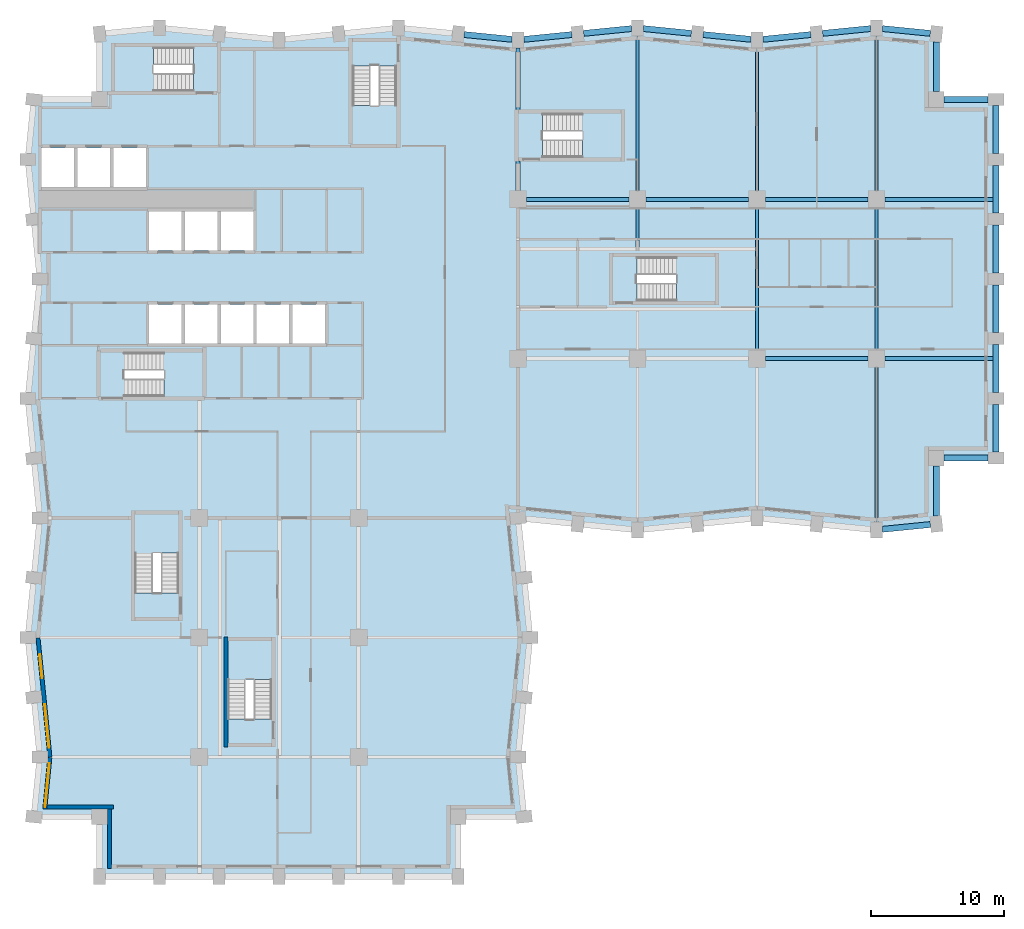
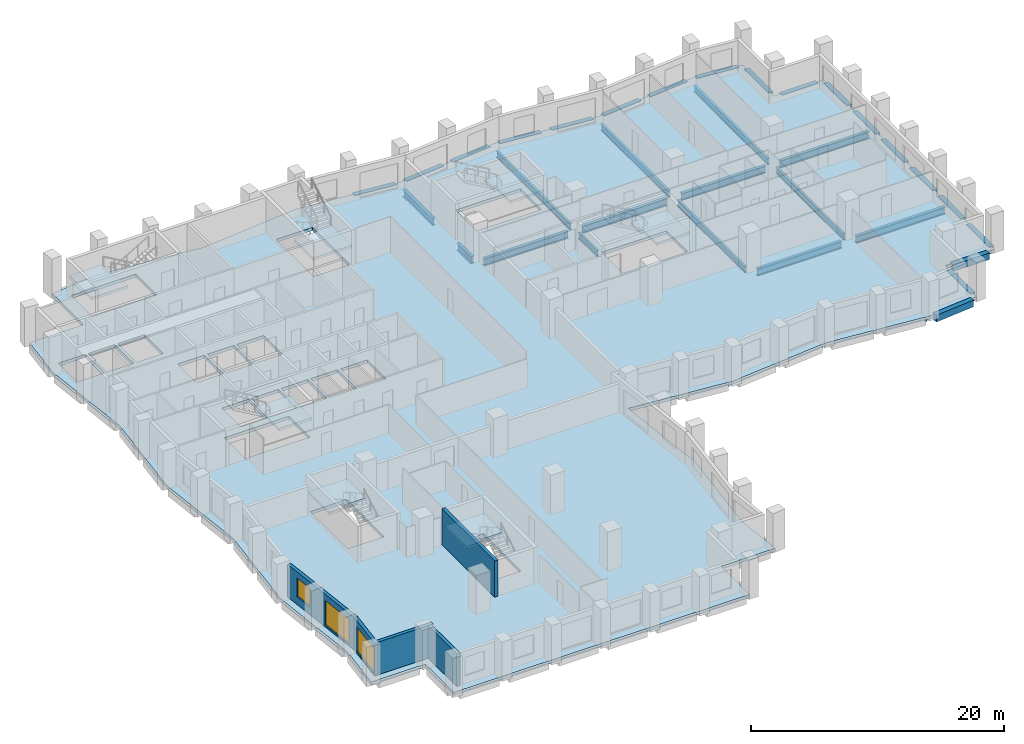
# One storey, part 2 of 11: 34 beams, 8 slabs, 5 walls, 3 windows, 3 openings, 7 elements without a shape of their own.
"""IFC4 building model written with IfcOpenShell, lengths in metres."""

import ifcopenshell
import ifcopenshell.guid

model = None  # the IFC model being written
_history = None  # IfcOwnerHistory: only IFC2X3 demands one
_inside = {}  # id of a spatial element -> (the spatial element, [elements in it])
_under = {}  # id of a project, library or spatial element -> (it, [spatial elements below it])
_declared = {}  # id of a project -> (the project, [libraries it declares])
_typed = {}  # id of a type object -> (the type object, [elements of that type])
_made_of = {}  # id of a material, layer set ... -> (it, [elements and type objects made of it])


def new_model(schema):
    """Start an empty IFC model of exactly this schema.

    Asked for "IFC4X3", IfcOpenShell would pick the latest addendum, in which some entities
    have other attributes; the version numbers below select the first issue.
    IFC2X3 requires an IfcOwnerHistory on every rooted entity: one is made here for all.
    """
    global model, _history
    if schema == "IFC4X3":
        model = ifcopenshell.file(schema_version=(4, 3, 0, 0))
    else:
        model = ifcopenshell.file(schema=schema)
    _inside.clear()
    _under.clear()
    _declared.clear()
    _typed.clear()
    _made_of.clear()
    _history = None
    if model.schema == "IFC2X3":
        org = make("IfcOrganization", Name="unknown")
        user = make(
            "IfcPersonAndOrganization",
            ThePerson=make("IfcPerson", FamilyName="unknown"),
            TheOrganization=org,
        )
        app = make(
            "IfcApplication",
            ApplicationDeveloper=org,
            Version="unknown",
            ApplicationFullName="unknown",
            ApplicationIdentifier="unknown",
        )
        _history = make(
            "IfcOwnerHistory",
            OwningUser=user,
            OwningApplication=app,
            ChangeAction="ADDED",
            CreationDate=0,
        )
    return model


def make(cls, **values):
    """One entity of the class cls with the attributes given. An attribute that is None is left unset."""
    return model.create_entity(
        cls, **{name: value for name, value in values.items() if value is not None}
    )


def rooted(cls, **values):
    """An entity with a GlobalId (a new one), such as an element, a storey or a relation."""
    return make(cls, GlobalId=ifcopenshell.guid.new(), OwnerHistory=_history, **values)


def si_unit(unit_type, name, prefix=None):
    """IfcSIUnit, for example si_unit("LENGTHUNIT", "METRE", prefix="MILLI")."""
    return make("IfcSIUnit", UnitType=unit_type, Prefix=prefix, Name=name)


def assignment(units):
    """IfcUnitAssignment: the units of a project."""
    return None if units is None else make("IfcUnitAssignment", Units=units)


def point(xyz):
    """IfcCartesianPoint."""
    return None if xyz is None else make("IfcCartesianPoint", Coordinates=xyz)


def direction(xyz):
    """IfcDirection."""
    return None if xyz is None else make("IfcDirection", DirectionRatios=xyz)


def frame(location, z_axis=None, x_axis=None):
    """IfcAxis2Placement3D, a coordinate frame: its origin and axes. An axis left out is left unset."""
    return make(
        "IfcAxis2Placement3D",
        Location=point(location),
        Axis=direction(z_axis),
        RefDirection=direction(x_axis),
    )


def frame_2d(location, x_axis=None):
    """IfcAxis2Placement2D, a coordinate frame in the plane: its origin and x axis."""
    return make(
        "IfcAxis2Placement2D", Location=point(location), RefDirection=direction(x_axis)
    )


def origin():
    """The frame at (0, 0, 0) with its axes left unset."""
    return frame((0.0, 0.0, 0.0))


def origin_2d():
    """The frame at (0, 0) in the plane with its x axis left unset."""
    return frame_2d((0.0, 0.0))


def place(relative_to, where):
    """IfcLocalPlacement: puts the frame where relative to a parent placement (None: the world)."""
    return make(
        "IfcLocalPlacement", PlacementRelTo=relative_to, RelativePlacement=where
    )


def context(
    kind, dimensions, precision=None, world=None, true_north=None, identifier=None
):
    """IfcGeometricRepresentationContext, for example the 3D "Model" context."""
    return make(
        "IfcGeometricRepresentationContext",
        ContextIdentifier=identifier,
        ContextType=kind,
        CoordinateSpaceDimension=dimensions,
        Precision=precision,
        WorldCoordinateSystem=world,
        TrueNorth=true_north,
    )


def subcontext(parent, identifier, kind, view, scale=None):
    """IfcGeometricRepresentationSubContext, for example "Body" below "Model"."""
    return make(
        "IfcGeometricRepresentationSubContext",
        ContextIdentifier=identifier,
        ContextType=kind,
        ParentContext=parent,
        TargetScale=scale,
        TargetView=view,
    )


def project(units=None, contexts=None):
    """IfcProject with its units and contexts."""
    return rooted(
        "IfcProject",
        Name="project",
        RepresentationContexts=contexts,
        UnitsInContext=assignment(units),
    )


def spatial(cls, under=None, at=None, **own):
    """A site, building, storey or space (cls), placed at a placement, below another one or the project."""
    s = rooted(cls, ObjectPlacement=at, **own)
    if under is not None:
        _under.setdefault(under.id(), (under, []))[1].append(s)
    return s


def polyline(points):
    """IfcPolyline through the points."""
    return make("IfcPolyline", Points=[point(p) for p in points])


def profile(cls, at=None, kind="AREA", **sizes):
    """A parametric profile (cls). Its sizes go by their IFC names, for example OverallWidth=200.0."""
    return make(cls, ProfileType=kind, Position=at, **sizes)


def rectangle(**sizes):
    """IfcRectangleProfileDef."""
    return profile("IfcRectangleProfileDef", **sizes)


def i_section(**sizes):
    """IfcIShapeProfileDef."""
    return profile("IfcIShapeProfileDef", **sizes)


def outline(outer, holes=None, kind="AREA"):
    """IfcArbitraryClosedProfileDef: a profile drawn as a closed curve; with holes, ...WithVoids."""
    if holes is None:
        return make("IfcArbitraryClosedProfileDef", ProfileType=kind, OuterCurve=outer)
    return make(
        "IfcArbitraryProfileDefWithVoids",
        ProfileType=kind,
        OuterCurve=outer,
        InnerCurves=holes,
    )


def extrude(swept, where, along, depth):
    """IfcExtrudedAreaSolid: the profile swept, set in the frame where, extruded along a direction by depth."""
    return make(
        "IfcExtrudedAreaSolid",
        SweptArea=swept,
        Position=where,
        ExtrudedDirection=direction(along),
        Depth=depth,
    )


def shape(context_of_items, identifier, shape_type, items):
    """IfcShapeRepresentation: the items that make up one representation, for example the "Body"."""
    return make(
        "IfcShapeRepresentation",
        ContextOfItems=context_of_items,
        RepresentationIdentifier=identifier,
        RepresentationType=shape_type,
        Items=items,
    )


def material(Name=None, Category=None):
    """IfcMaterial."""
    return make("IfcMaterial", Name=Name, Category=Category)


def layer(
    of_material, thickness, ventilated=None, Name=None, Category=None, Priority=None
):
    """IfcMaterialLayer: one layer of a wall or slab, of a material (None: an air gap)."""
    return make(
        "IfcMaterialLayer",
        Material=of_material,
        LayerThickness=thickness,
        IsVentilated=ventilated,
        Name=Name,
        Category=Category,
        Priority=Priority,
    )


def layer_set(layers, Name=None):
    """IfcMaterialLayerSet."""
    return make("IfcMaterialLayerSet", MaterialLayers=layers, LayerSetName=Name)


def material_profile(
    of_material, cross_section, Name=None, Category=None, Priority=None
):
    """IfcMaterialProfile: a cross section and its material."""
    return make(
        "IfcMaterialProfile",
        Name=Name,
        Material=of_material,
        Profile=cross_section,
        Priority=Priority,
        Category=Category,
    )


def profile_set(profiles, Name=None, composite=None):
    """IfcMaterialProfileSet."""
    return make(
        "IfcMaterialProfileSet",
        Name=Name,
        MaterialProfiles=profiles,
        CompositeProfile=composite,
    )


def made_of(thing, what):
    """Note that an element or type object is made of a material, layer set ...; save() writes the relation."""
    if what is not None:
        _made_of.setdefault(what.id(), (what, []))[1].append(thing)
    return thing


def type_object(cls, material=None, **own):
    """A type object (cls), such as IfcWallType, which elements share."""
    return made_of(rooted(cls, **own), material)


def element(
    cls,
    number,
    at=None,
    inside=None,
    cuts=None,
    type_object=None,
    material=None,
    context=None,
    identifier="Body",
    shape_type=None,
    held_by="IfcProductDefinitionShape",
    body=None,
    shapes=None,
    **own,
):
    """One element of the class cls, such as IfcWall. Its Tag is "e" and its number.

    at: its placement. inside: the storey or other place that contains it. cuts: it is an
    opening in that element (IfcRelVoidsElement). A single representation is given by context,
    identifier, shape_type and body (its items); several are given by shapes. held_by: the class
    of the entity that holds the representations. save() writes the other relations.
    """
    e = rooted(cls, Tag="e%d" % number, ObjectPlacement=at, **own)
    if body is not None:
        shapes = [shape(context, identifier, shape_type, body)]
    if shapes is not None:
        e.Representation = make(held_by, Representations=shapes)
    if inside is not None:
        _inside.setdefault(inside.id(), (inside, []))[1].append(e)
    if cuts is not None:
        rooted(
            "IfcRelVoidsElement", RelatingBuildingElement=cuts, RelatedOpeningElement=e
        )
    if type_object is not None:
        _typed.setdefault(type_object.id(), (type_object, []))[1].append(e)
    return made_of(e, material)


def fill(opening, filler):
    """IfcRelFillsElement: the door or window that sits in an opening."""
    return rooted(
        "IfcRelFillsElement",
        RelatingOpeningElement=opening,
        RelatedBuildingElement=filler,
    )


def aggregate(whole, parts):
    """IfcRelAggregates: a whole, such as a stair, and the parts it consists of."""
    return rooted("IfcRelAggregates", RelatingObject=whole, RelatedObjects=parts)


def save(model, path):
    """Write the relations noted so far, then the file.

    IfcRelAggregates (storeys below a building ...), IfcRelContainedInSpatialStructure (elements
    in a storey), IfcRelDefinesByType, IfcRelAssociatesMaterial and IfcRelDeclares: one each for
    every whole, place, type object, material and project.
    """
    for whole, parts in _under.values():
        aggregate(whole, parts)
    for where, things in _inside.values():
        rooted(
            "IfcRelContainedInSpatialStructure",
            RelatedElements=things,
            RelatingStructure=where,
        )
    for kind, things in _typed.values():
        rooted("IfcRelDefinesByType", RelatedObjects=things, RelatingType=kind)
    for what, things in _made_of.values():
        rooted("IfcRelAssociatesMaterial", RelatedObjects=things, RelatingMaterial=what)
    for by, libraries in _declared.values():
        rooted("IfcRelDeclares", RelatingContext=by, RelatedDefinitions=libraries)
    model.write(path)


model = new_model("IFC4")

# Units and contexts
model_context = context("Model", 3, precision=1e-05, world=origin(), true_north=direction((0.0, 1.0)))
body_context = subcontext(model_context, "Body", "Model", "MODEL_VIEW")
ifc_project = project(units=[si_unit("LENGTHUNIT", "METRE"), si_unit("AREAUNIT", "SQUARE_METRE"), si_unit("VOLUMEUNIT", "CUBIC_METRE"), si_unit("PLANEANGLEUNIT", "RADIAN"), si_unit("MASSUNIT", "GRAM", prefix="KILO")], contexts=[model_context])

# Site, building, storey
site_placement = place(None, origin())
site = spatial("IfcSite", under=ifc_project, at=site_placement, CompositionType="ELEMENT")
building_placement = place(site_placement, origin())
building = spatial("IfcBuilding", under=site, at=building_placement, Name="Brondeck Convention Tower", CompositionType="ELEMENT")
storey_placement = place(building_placement, frame((0.0, 0.0, 111.300048828125)))
storey = spatial("IfcBuildingStorey", under=building, at=storey_placement, Name="L26", CompositionType="ELEMENT", Elevation=111.300048828125)

# Beams
ifc_material_1 = material(Name="Steel S355", Category="steel")
ifc_material_profile_1 = material_profile(ifc_material_1, i_section(OverallWidth=0.219970703125, OverallDepth=0.60009765625, WebThickness=0.011962890625, FlangeThickness=0.01904296875, FilletRadius=0.02392578125, at=origin_2d()), Name="IPE 600")
ifc_profile_set_1 = profile_set([ifc_material_profile_1], Name="Steel S355")
beam_type_1 = type_object("IfcBeamType", Name="Floor beam IPE 600", PredefinedType="BEAM", material=ifc_profile_set_1)
beam_1_placement = place(storey_placement, frame((45.0, 51.64990234375, -0.60009765625), z_axis=(0.0, 1.0, 0.0), x_axis=(-1.0, 0.0, 0.0)))
element("IfcBeam", 1, at=beam_1_placement, inside=storey, type_object=beam_type_1, Name="STR-FB-L26-002", PredefinedType="BEAM", context=body_context, shape_type="SweptSolid", body=[
    extrude(i_section(OverallWidth=0.219970703125, OverallDepth=0.60009765625, WebThickness=0.011962890625, FlangeThickness=0.01904296875, FilletRadius=0.02392578125, at=origin_2d()), origin(), (0.0, 0.0, 1.0), 11.650146484375),
])
beam_2_placement = place(storey_placement, frame((54.0, 39.64990234375, -0.60009765625), z_axis=(0.0, 1.0, 0.0), x_axis=(-1.0, 0.0, 0.0)))
element("IfcBeam", 2, at=beam_2_placement, inside=storey, type_object=beam_type_1, Name="STR-FB-L26-004", PredefinedType="BEAM", context=body_context, shape_type="SweptSolid", body=[
    extrude(i_section(OverallWidth=0.219970703125, OverallDepth=0.60009765625, WebThickness=0.011962890625, FlangeThickness=0.01904296875, FilletRadius=0.02392578125, at=origin_2d()), origin(), (0.0, 0.0, 1.0), 10.7001953125),
])
beam_3_placement = place(storey_placement, frame((54.0, 51.64990234375, -0.60009765625), z_axis=(0.0, 1.0, 0.0), x_axis=(-1.0, 0.0, 0.0)))
element("IfcBeam", 3, at=beam_3_placement, inside=storey, type_object=beam_type_1, Name="STR-FB-L26-005", PredefinedType="BEAM", context=body_context, shape_type="SweptSolid", body=[
    extrude(i_section(OverallWidth=0.219970703125, OverallDepth=0.60009765625, WebThickness=0.011962890625, FlangeThickness=0.01904296875, FilletRadius=0.02392578125, at=origin_2d()), origin(), (0.0, 0.0, 1.0), 10.75),
])
beam_4_placement = place(storey_placement, frame((63.0, 26.699951171875, -0.60009765625), z_axis=(0.0, 1.0, 0.0), x_axis=(-1.0, 0.0, 0.0)))
element("IfcBeam", 4, at=beam_4_placement, inside=storey, type_object=beam_type_1, Name="STR-FB-L26-006", PredefinedType="BEAM", context=body_context, shape_type="SweptSolid", body=[
    extrude(i_section(OverallWidth=0.219970703125, OverallDepth=0.60009765625, WebThickness=0.011962890625, FlangeThickness=0.01904296875, FilletRadius=0.02392578125, at=origin_2d()), origin(), (0.0, 0.0, 1.0), 11.650146484375),
])
beam_5_placement = place(storey_placement, frame((63.0, 39.64990234375, -0.60009765625), z_axis=(0.0, 1.0, 0.0), x_axis=(-1.0, 0.0, 0.0)))
element("IfcBeam", 5, at=beam_5_placement, inside=storey, type_object=beam_type_1, Name="STR-FB-L26-007", PredefinedType="BEAM", context=body_context, shape_type="SweptSolid", body=[
    extrude(i_section(OverallWidth=0.219970703125, OverallDepth=0.60009765625, WebThickness=0.011962890625, FlangeThickness=0.01904296875, FilletRadius=0.02392578125, at=origin_2d()), origin(), (0.0, 0.0, 1.0), 10.7001953125),
])
beam_6_placement = place(storey_placement, frame((63.0, 51.64990234375, -0.60009765625), z_axis=(0.0, 1.0, 0.0), x_axis=(-1.0, 0.0, 0.0)))
element("IfcBeam", 6, at=beam_6_placement, inside=storey, type_object=beam_type_1, Name="STR-FB-L26-008", PredefinedType="BEAM", context=body_context, shape_type="SweptSolid", body=[
    extrude(i_section(OverallWidth=0.219970703125, OverallDepth=0.60009765625, WebThickness=0.011962890625, FlangeThickness=0.01904296875, FilletRadius=0.02392578125, at=origin_2d()), origin(), (0.0, 0.0, 1.0), 11.650146484375),
])
beam_7_placement = place(storey_placement, frame((45.0, 47.39990234375, -0.60009765625), z_axis=(0.0, 1.0, 0.0), x_axis=(-1.0, 0.0, 0.0)))
element("IfcBeam", 7, at=beam_7_placement, inside=storey, type_object=beam_type_1, Name="STR-FB-L26-015", PredefinedType="BEAM", context=body_context, shape_type="SweptSolid", body=[
    extrude(i_section(OverallWidth=0.219970703125, OverallDepth=0.60009765625, WebThickness=0.011962890625, FlangeThickness=0.01904296875, FilletRadius=0.02392578125, at=origin_2d()), origin(), (0.0, 0.0, 1.0), 2.9501953125),
])
ifc_material_profile_2 = material_profile(ifc_material_1, i_section(OverallWidth=0.300048828125, OverallDepth=0.699951171875, WebThickness=0.01708984375, FlangeThickness=0.031982421875, FilletRadius=0.027099609375, at=origin_2d()), Name="HEB 700")
ifc_profile_set_2 = profile_set([ifc_material_profile_2], Name="Steel S355")
beam_type_2 = type_object("IfcBeamType", Name="Girder HEB 700", PredefinedType="BEAM", material=ifc_profile_set_2)
beam_8_placement = place(storey_placement, frame((54.64990234375, 39.0, -0.650146484375), z_axis=(1.0, 0.0, 0.0), x_axis=(0.0, 1.0, 0.0)))
element("IfcBeam", 8, at=beam_8_placement, inside=storey, type_object=beam_type_2, Name="STR-GR-L26-003", PredefinedType="BEAM", context=body_context, shape_type="SweptSolid", body=[
    extrude(i_section(OverallWidth=0.300048828125, OverallDepth=0.699951171875, WebThickness=0.01708984375, FlangeThickness=0.031982421875, FilletRadius=0.027099609375, at=origin_2d()), origin(), (0.0, 0.0, 1.0), 7.7001953125),
])
beam_9_placement = place(storey_placement, frame((63.64990234375, 39.0, -0.650146484375), z_axis=(1.0, 0.0, 0.0), x_axis=(0.0, 1.0, 0.0)))
element("IfcBeam", 9, at=beam_9_placement, inside=storey, type_object=beam_type_2, Name="STR-GR-L26-004", PredefinedType="BEAM", context=body_context, shape_type="SweptSolid", body=[
    extrude(i_section(OverallWidth=0.300048828125, OverallDepth=0.699951171875, WebThickness=0.01708984375, FlangeThickness=0.031982421875, FilletRadius=0.027099609375, at=origin_2d()), origin(), (0.0, 0.0, 1.0), 8.125),
])
for number, where, z_axis, x_axis, name in (
    (10, (36.64990234375, 51.0, -0.650146484375), (1.0, 0.0, 0.0), (0.0, 1.0, 0.0), "STR-GR-L26-005"),
    (11, (45.64990234375, 51.0, -0.650146484375), (1.0, 0.0, 0.0), (0.0, 1.0, 0.0), "STR-GR-L26-006"),
    (12, (54.64990234375, 51.0, -0.650146484375), (1.0, 0.0, 0.0), (0.0, 1.0, 0.0), "STR-GR-L26-007"),
):
    element("IfcBeam", number, at=place(storey_placement, frame(where, z_axis=z_axis, x_axis=x_axis)), inside=storey, type_object=beam_type_2, Name=name, PredefinedType="BEAM", context=body_context, shape_type="SweptSolid", body=[
        extrude(i_section(OverallWidth=0.300048828125, OverallDepth=0.699951171875, WebThickness=0.01708984375, FlangeThickness=0.031982421875, FilletRadius=0.027099609375, at=origin_2d()), origin(), (0.0, 0.0, 1.0), 7.7001953125),
    ])
beam_10_placement = place(storey_placement, frame((63.64990234375, 51.0, -0.650146484375), z_axis=(1.0, 0.0, 0.0), x_axis=(0.0, 1.0, 0.0)))
element("IfcBeam", 13, at=beam_10_placement, inside=storey, type_object=beam_type_2, Name="STR-GR-L26-008", PredefinedType="BEAM", context=body_context, shape_type="SweptSolid", body=[
    extrude(i_section(OverallWidth=0.300048828125, OverallDepth=0.699951171875, WebThickness=0.01708984375, FlangeThickness=0.031982421875, FilletRadius=0.027099609375, at=origin_2d()), origin(), (0.0, 0.0, 1.0), 8.125),
])
beam_11_placement = place(storey_placement, frame((36.0, 51.64990234375, -0.650146484375), z_axis=(0.0, 1.0, 0.0), x_axis=(-1.0, 0.0, 0.0)))
element("IfcBeam", 14, at=beam_11_placement, inside=storey, type_object=beam_type_2, Name="STR-GR-L26-011", PredefinedType="BEAM", context=body_context, shape_type="SweptSolid", body=[
    extrude(i_section(OverallWidth=0.300048828125, OverallDepth=0.699951171875, WebThickness=0.01708984375, FlangeThickness=0.031982421875, FilletRadius=0.027099609375, at=origin_2d()), origin(), (0.0, 0.0, 1.0), 2.22998046875),
])
beam_12_placement = place(storey_placement, frame((36.0, 57.719970703125, -0.650146484375), z_axis=(0.0, 1.0, 0.0), x_axis=(-1.0, 0.0, 0.0)))
element("IfcBeam", 15, at=beam_12_placement, inside=storey, type_object=beam_type_2, Name="STR-GR-L26-012", PredefinedType="BEAM", context=body_context, shape_type="SweptSolid", body=[
    extrude(i_section(OverallWidth=0.300048828125, OverallDepth=0.699951171875, WebThickness=0.01708984375, FlangeThickness=0.031982421875, FilletRadius=0.027099609375, at=origin_2d()), origin(), (0.0, 0.0, 1.0), 4.679931640625),
])
ifc_material_2 = material(Name="Concrete C70/85", Category="concrete")
ifc_material_profile_3 = material_profile(ifc_material_2, rectangle(XDim=0.449951171875, YDim=0.64990234375, at=origin_2d()), Name="Precast spandrel 450x650 Concrete C70/85")
ifc_profile_set_3 = profile_set([ifc_material_profile_3], Name="Concrete C70/85")
beam_type_3 = type_object("IfcBeamType", Name="Precast spandrel 450x650 Concrete C70/85", PredefinedType="SPANDREL", material=ifc_profile_set_3)
beam_13_placement = place(storey_placement, frame((63.449951171875, 26.14501953125, -0.324951171875), z_axis=(0.995040528141, 0.099470334057, 0.0), x_axis=(-0.099470334057, 0.995040528141, 0.0)))
element("IfcBeam", 16, at=beam_13_placement, inside=storey, type_object=beam_type_3, Name="STR-SP-L26-020", PredefinedType="SPANDREL", context=body_context, shape_type="SweptSolid", body=[
    extrude(rectangle(XDim=0.449951171875, YDim=0.64990234375, at=origin_2d()), origin(), (0.0, 0.0, 1.0), 3.620361328125),
])
beam_14_placement = place(storey_placement, frame((67.5, 27.153076171875, -0.324951171875), z_axis=(0.0, 1.0, 0.0), x_axis=(-1.0, 0.0, 0.0)))
element("IfcBeam", 17, at=beam_14_placement, inside=storey, type_object=beam_type_3, Name="STR-SP-L26-021", PredefinedType="SPANDREL", context=body_context, shape_type="SweptSolid", body=[
    extrude(rectangle(XDim=0.449951171875, YDim=0.64990234375, at=origin_2d()), origin(), (0.0, 0.0, 1.0), 3.746826171875),
])
beam_15_placement = place(storey_placement, frame((68.10009765625, 31.5, -0.324951171875), z_axis=(1.0, 0.0, 0.0), x_axis=(0.0, 1.0, 0.0)))
element("IfcBeam", 18, at=beam_15_placement, inside=storey, type_object=beam_type_3, Name="STR-SP-L26-022", PredefinedType="SPANDREL", context=body_context, shape_type="SweptSolid", body=[
    extrude(rectangle(XDim=0.449951171875, YDim=0.64990234375, at=origin_2d()), origin(), (0.0, 0.0, 1.0), 3.2998046875),
])
for number, where, z_axis, x_axis, name in (
    (19, (72.0, 31.949951171875, -0.324951171875), (0.0, 1.0, 0.0), (-1.0, 0.0, 0.0), "STR-SP-L26-023"),
    (20, (72.0, 36.449951171875, -0.324951171875), (0.0, 1.0, 0.0), (-1.0, 0.0, 0.0), "STR-SP-L26-024"),
    (21, (72.0, 40.949951171875, -0.324951171875), (0.0, 1.0, 0.0), (-1.0, 0.0, 0.0), "STR-SP-L26-025"),
    (22, (72.0, 45.449951171875, -0.324951171875), (0.0, 1.0, 0.0), (-1.0, 0.0, 0.0), "STR-SP-L26-026"),
    (23, (72.0, 49.949951171875, -0.324951171875), (0.0, 1.0, 0.0), (-1.0, 0.0, 0.0), "STR-SP-L26-027"),
    (24, (72.0, 54.449951171875, -0.324951171875), (0.0, 1.0, 0.0), (-1.0, 0.0, 0.0), "STR-SP-L26-028"),
):
    element("IfcBeam", number, at=place(storey_placement, frame(where, z_axis=z_axis, x_axis=x_axis)), inside=storey, type_object=beam_type_3, Name=name, PredefinedType="SPANDREL", context=body_context, shape_type="SweptSolid", body=[
        extrude(rectangle(XDim=0.449951171875, YDim=0.64990234375, at=origin_2d()), origin(), (0.0, 0.0, 1.0), 3.60009765625),
    ])
beam_16_placement = place(storey_placement, frame((71.39990234375, 58.5, -0.324951171875), z_axis=(-1.0, 0.0, 0.0), x_axis=(0.0, -1.0, 0.0)))
element("IfcBeam", 25, at=beam_16_placement, inside=storey, type_object=beam_type_3, Name="STR-SP-L26-029", PredefinedType="SPANDREL", context=body_context, shape_type="SweptSolid", body=[
    extrude(rectangle(XDim=0.449951171875, YDim=0.64990234375, at=origin_2d()), origin(), (0.0, 0.0, 1.0), 3.2998046875),
])
beam_17_placement = place(storey_placement, frame((67.5, 59.10009765625, -0.324951171875), z_axis=(0.0, 1.0, 0.0), x_axis=(-1.0, 0.0, 0.0)))
element("IfcBeam", 26, at=beam_17_placement, inside=storey, type_object=beam_type_3, Name="STR-SP-L26-030", PredefinedType="SPANDREL", context=body_context, shape_type="SweptSolid", body=[
    extrude(rectangle(XDim=0.449951171875, YDim=0.64990234375, at=origin_2d()), origin(), (0.0, 0.0, 1.0), 3.746826171875),
])
for number, where, z_axis, x_axis, name in (
    (27, (67.05224609375, 63.494873046875, -0.324951171875), (-0.995040528141, 0.099470334057, 0.0), (-0.099470334057, -0.995040528141, 0.0), "STR-SP-L26-031"),
    (28, (62.550048828125, 63.85498046875, -0.324951171875), (-0.995040528141, -0.099470334057, 0.0), (0.099470334057, -0.995040528141, 0.0), "STR-SP-L26-032"),
    (29, (58.05224609375, 63.4052734375, -0.324951171875), (-0.995033851182, -0.099537103649, 0.0), (0.099537103649, -0.995033851182, 0.0), "STR-SP-L26-033"),
    (30, (53.550048828125, 63.044921875, -0.324951171875), (-0.995033851182, 0.099537103649, 0.0), (-0.099537103649, -0.995033851182, 0.0), "STR-SP-L26-034"),
    (31, (49.05224609375, 63.494873046875, -0.324951171875), (-0.995040528141, 0.099470334057, 0.0), (-0.099470334057, -0.995040528141, 0.0), "STR-SP-L26-035"),
    (32, (44.550048828125, 63.85498046875, -0.324951171875), (-0.995040528141, -0.099470334057, 0.0), (0.099470334057, -0.995040528141, 0.0), "STR-SP-L26-036"),
    (33, (40.05224609375, 63.4052734375, -0.324951171875), (-0.995033851182, -0.099537103649, 0.0), (0.099537103649, -0.995033851182, 0.0), "STR-SP-L26-037"),
    (34, (35.550048828125, 63.044921875, -0.324951171875), (-0.995033851182, 0.099537103649, 0.0), (-0.099537103649, -0.995033851182, 0.0), "STR-SP-L26-038"),
):
    element("IfcBeam", number, at=place(storey_placement, frame(where, z_axis=z_axis, x_axis=x_axis)), inside=storey, type_object=beam_type_3, Name=name, PredefinedType="SPANDREL", context=body_context, shape_type="SweptSolid", body=[
        extrude(rectangle(XDim=0.449951171875, YDim=0.64990234375, at=origin_2d()), origin(), (0.0, 0.0, 1.0), 3.620361328125),
    ])

# Slab
ifc_material_3 = material(Name="Concrete C35/45", Category="concrete")
ifc_layer_1 = layer(ifc_material_3, 0.300048828125)
ifc_layer_set_1 = layer_set([ifc_layer_1], Name="Composite floor slab 300")
slab_type_1 = type_object("IfcSlabType", Name="Composite floor slab 300", PredefinedType="FLOOR", material=ifc_layer_set_1)
slab_1_placement = place(storey_placement, frame((0.0, 0.0, -0.300048828125)))
element("IfcSlab", 35, at=slab_1_placement, inside=storey, type_object=slab_type_1, Name="STR-SL-L26", PredefinedType="FLOOR", context=body_context, shape_type="SweptSolid", body=[
    extrude(outline(polyline([(4.5, 4.5), (-0.449951171875, 4.5), (0.0, 9.0), (-0.89990234375, 18.0), (0.0, 27.0), (-0.89990234375, 36.0), (0.0, 45.0), (-0.89990234375, 54.0), (-0.449951171875, 58.5), (4.5, 58.5), (4.5, 63.449951171875), (9.0, 63.89990234375), (18.0, 63.0), (27.0, 63.89990234375), (36.0, 63.0), (45.0, 63.89990234375), (54.0, 63.0), (63.0, 63.89990234375), (67.5, 63.449951171875), (67.5, 58.5), (72.0, 58.5), (72.0, 31.5), (67.5, 31.5), (67.5, 26.550048828125), (63.0, 26.10009765625), (54.0, 27.0), (45.0, 26.10009765625), (36.0, 27.0), (36.89990234375, 18.0), (36.0, 9.0), (36.449951171875, 4.5), (31.5, 4.5), (31.5, 0.0), (4.5, 0.0), (4.5, 4.5)]), holes=[polyline([(10.447998046875, 27.248046875), (7.152099609375, 27.248046875), (7.152099609375, 21.35205078125), (10.447998046875, 21.35205078125), (10.447998046875, 27.248046875)]), polyline([(12.248046875, 36.152099609375), (12.248046875, 39.447998046875), (6.35205078125, 39.447998046875), (6.35205078125, 36.152099609375), (12.248046875, 36.152099609375)]), polyline([(10.675048828125, 40.125), (10.675048828125, 43.074951171875), (8.22509765625, 43.074951171875), (8.22509765625, 40.125), (10.675048828125, 40.125)]), polyline([(10.675048828125, 47.125), (10.675048828125, 50.074951171875), (8.22509765625, 50.074951171875), (8.22509765625, 47.125), (10.675048828125, 47.125)]), polyline([(13.375, 47.125), (13.375, 50.074951171875), (10.925048828125, 50.074951171875), (10.925048828125, 47.125), (13.375, 47.125)]), polyline([(2.574951171875, 51.925048828125), (2.574951171875, 54.875), (0.125, 54.875), (0.125, 51.925048828125), (2.574951171875, 51.925048828125)]), polyline([(5.27490234375, 51.925048828125), (5.27490234375, 54.875), (2.824951171875, 54.875), (2.824951171875, 51.925048828125), (5.27490234375, 51.925048828125)]), polyline([(5.52490234375, 51.925048828125), (7.97509765625, 51.925048828125), (7.97509765625, 54.875), (5.52490234375, 54.875), (5.52490234375, 51.925048828125)]), polyline([(11.548095703125, 62.447998046875), (5.652099609375, 62.447998046875), (5.652099609375, 59.152099609375), (11.548095703125, 59.152099609375), (11.548095703125, 62.447998046875)]), polyline([(17.447998046875, 17.748046875), (14.152099609375, 17.748046875), (14.152099609375, 11.85205078125), (17.447998046875, 11.85205078125), (17.447998046875, 17.748046875)]), polyline([(13.375, 40.125), (13.375, 43.074951171875), (10.925048828125, 43.074951171875), (10.925048828125, 40.125), (13.375, 40.125)]), polyline([(16.074951171875, 40.125), (16.074951171875, 43.074951171875), (13.625, 43.074951171875), (13.625, 40.125), (16.074951171875, 40.125)]), polyline([(18.77490234375, 40.125), (18.77490234375, 43.074951171875), (16.324951171875, 43.074951171875), (16.324951171875, 40.125), (18.77490234375, 40.125)]), polyline([(21.47509765625, 40.125), (21.47509765625, 43.074951171875), (19.02490234375, 43.074951171875), (19.02490234375, 40.125), (21.47509765625, 40.125)]), polyline([(50.847900390625, 43.35205078125), (50.847900390625, 46.64794921875), (44.951904296875, 46.64794921875), (44.951904296875, 43.35205078125), (50.847900390625, 43.35205078125)]), polyline([(16.074951171875, 47.125), (16.074951171875, 50.074951171875), (13.625, 50.074951171875), (13.625, 47.125), (16.074951171875, 47.125)]), polyline([(37.85205078125, 54.152099609375), (43.748046875, 54.152099609375), (43.748046875, 57.447998046875), (37.85205078125, 57.447998046875), (37.85205078125, 54.152099609375)]), polyline([(23.552001953125, 61.048095703125), (23.552001953125, 55.152099609375), (26.847900390625, 55.152099609375), (26.847900390625, 61.048095703125), (23.552001953125, 61.048095703125)])]), origin(), (0.0, 0.0, 1.0), 0.300048828125),
])

# Stair, slab
ifc_material_4 = material(Name="Precast concrete C50/60", Category="concrete")
stair_type = type_object("IfcStairType", Name="Core stair 22 risers 172.73 mm riser 300 mm going 1350 wide", PredefinedType="HALF_TURN_STAIR", material=ifc_material_4)
stair_1_placement = place(storey_placement, origin())
stair_1 = element("IfcStair", 36, at=stair_1_placement, inside=storey, type_object=stair_type, Name="ST-1 L26 stair", PredefinedType="HALF_TURN_STAIR")
ifc_layer_2 = layer(ifc_material_4, 0.25)
ifc_layer_set_2 = layer_set([ifc_layer_2], Name="Core stair landing 250 Precast concrete C50/60")
slab_type_2 = type_object("IfcSlabType", Name="Core stair landing 250 Precast concrete C50/60", PredefinedType="LANDING", material=ifc_layer_set_2)
slab_2_placement = place(storey_placement, frame((0.0, 0.0, 1.64990234375)))
slab_2 = element("IfcSlab", 37, at=slab_2_placement, type_object=slab_type_2, Name="ST-1 landing 1", PredefinedType="LANDING", context=body_context, shape_type="SweptSolid", body=[
    extrude(outline(polyline([(9.347900390625, 37.5), (9.35009765625, 37.5), (9.35009765625, 38.10009765625), (9.050048828125, 38.10009765625), (9.050048828125, 39.570068359375), (12.3701171875, 39.570068359375), (12.3701171875, 36.030029296875), (9.347900390625, 36.030029296875), (9.347900390625, 37.5)])), origin(), (0.0, 0.0, 1.0), 0.25),
])
aggregate(stair_1, [slab_2])

stair_2_placement = place(storey_placement, origin())
stair_2 = element("IfcStair", 38, at=stair_2_placement, inside=storey, type_object=stair_type, Name="ST-2 L26 stair", PredefinedType="HALF_TURN_STAIR")
slab_3_placement = place(storey_placement, frame((0.0, 0.0, 1.64990234375)))
slab_3 = element("IfcSlab", 39, at=slab_3_placement, type_object=slab_type_2, Name="ST-2 landing 1", PredefinedType="LANDING", context=body_context, shape_type="SweptSolid", body=[
    extrude(outline(polyline([(23.429931640625, 58.052001953125), (24.89990234375, 58.052001953125), (24.89990234375, 58.050048828125), (25.5, 58.050048828125), (25.5, 58.35009765625), (26.969970703125, 58.35009765625), (26.969970703125, 55.030029296875), (23.429931640625, 55.030029296875), (23.429931640625, 58.052001953125)])), origin(), (0.0, 0.0, 1.0), 0.25),
])
aggregate(stair_2, [slab_3])

stair_3_placement = place(storey_placement, origin())
stair_3 = element("IfcStair", 40, at=stair_3_placement, inside=storey, type_object=stair_type, Name="ST-3 L26 stair", PredefinedType="HALF_TURN_STAIR")
slab_4_placement = place(storey_placement, frame((0.0, 0.0, 1.64990234375)))
slab_4 = element("IfcSlab", 41, at=slab_4_placement, type_object=slab_type_2, Name="ST-3 landing 1", PredefinedType="LANDING", context=body_context, shape_type="SweptSolid", body=[
    extrude(outline(polyline([(8.85009765625, 60.5), (8.85009765625, 59.030029296875), (5.530029296875, 59.030029296875), (5.530029296875, 62.570068359375), (8.552001953125, 62.570068359375), (8.552001953125, 61.10009765625), (8.550048828125, 61.10009765625), (8.550048828125, 60.5), (8.85009765625, 60.5)])), origin(), (0.0, 0.0, 1.0), 0.25),
])
aggregate(stair_3, [slab_4])

stair_4_placement = place(storey_placement, origin())
stair_4 = element("IfcStair", 42, at=stair_4_placement, inside=storey, type_object=stair_type, Name="ST-AE L26 stair", PredefinedType="HALF_TURN_STAIR")
slab_5_placement = place(storey_placement, frame((0.0, 0.0, 1.64990234375)))
slab_5 = element("IfcSlab", 43, at=slab_5_placement, type_object=slab_type_2, Name="ST-AE landing 1", PredefinedType="LANDING", context=body_context, shape_type="SweptSolid", body=[
    extrude(outline(polyline([(40.847900390625, 55.5), (40.85009765625, 55.5), (40.85009765625, 56.10009765625), (40.550048828125, 56.10009765625), (40.550048828125, 57.570068359375), (43.8701171875, 57.570068359375), (43.8701171875, 54.030029296875), (40.847900390625, 54.030029296875), (40.847900390625, 55.5)])), origin(), (0.0, 0.0, 1.0), 0.25),
])
aggregate(stair_4, [slab_5])

stair_5_placement = place(storey_placement, origin())
stair_5 = element("IfcStair", 44, at=stair_5_placement, inside=storey, type_object=stair_type, Name="ST-BE L26 stair", PredefinedType="HALF_TURN_STAIR")
slab_6_placement = place(storey_placement, frame((0.0, 0.0, 1.64990234375)))
slab_6 = element("IfcSlab", 45, at=slab_6_placement, type_object=slab_type_2, Name="ST-BE landing 1", PredefinedType="LANDING", context=body_context, shape_type="SweptSolid", body=[
    extrude(outline(polyline([(7.030029296875, 24.050048828125), (7.030029296875, 27.3701171875), (10.570068359375, 27.3701171875), (10.570068359375, 24.347900390625), (9.10009765625, 24.347900390625), (9.10009765625, 24.35009765625), (8.5, 24.35009765625), (8.5, 24.050048828125), (7.030029296875, 24.050048828125)])), origin(), (0.0, 0.0, 1.0), 0.25),
])
aggregate(stair_5, [slab_6])

stair_6_placement = place(storey_placement, origin())
stair_6 = element("IfcStair", 46, at=stair_6_placement, inside=storey, type_object=stair_type, Name="ST-AF L26 stair", PredefinedType="HALF_TURN_STAIR")
slab_7_placement = place(storey_placement, frame((0.0, 0.0, 1.64990234375)))
slab_7 = element("IfcSlab", 47, at=slab_7_placement, type_object=slab_type_2, Name="ST-AF landing 1", PredefinedType="LANDING", context=body_context, shape_type="SweptSolid", body=[
    extrude(outline(polyline([(47.947998046875, 44.699951171875), (47.949951171875, 44.699951171875), (47.949951171875, 45.300048828125), (47.64990234375, 45.300048828125), (47.64990234375, 46.77001953125), (50.969970703125, 46.77001953125), (50.969970703125, 43.22998046875), (47.947998046875, 43.22998046875), (47.947998046875, 44.699951171875)])), origin(), (0.0, 0.0, 1.0), 0.25),
])
aggregate(stair_6, [slab_7])

stair_7_placement = place(storey_placement, origin())
stair_7 = element("IfcStair", 48, at=stair_7_placement, inside=storey, type_object=stair_type, Name="ST-BF L26 stair", PredefinedType="HALF_TURN_STAIR")
slab_8_placement = place(storey_placement, frame((0.0, 0.0, 1.64990234375)))
slab_8 = element("IfcSlab", 49, at=slab_8_placement, type_object=slab_type_2, Name="ST-BF landing 1", PredefinedType="LANDING", context=body_context, shape_type="SweptSolid", body=[
    extrude(outline(polyline([(14.030029296875, 14.550048828125), (14.030029296875, 17.8701171875), (17.570068359375, 17.8701171875), (17.570068359375, 14.847900390625), (16.10009765625, 14.847900390625), (16.10009765625, 14.85009765625), (15.5, 14.85009765625), (15.5, 14.550048828125), (14.030029296875, 14.550048828125)])), origin(), (0.0, 0.0, 1.0), 0.25),
])
aggregate(stair_7, [slab_8])

# Wall, openings, windows
ifc_material_5 = material(Name="Precast concrete C50/60 bronze finish", Category="concrete")
ifc_layer_3 = layer(ifc_material_5, 0.070068359375, Name="Bronze precast facing")
ifc_material_6 = material(Name="Mineral wool")
ifc_layer_4 = layer(ifc_material_6, 0.159912109375, Name="Insulation")
ifc_layer_5 = layer(ifc_material_3, 0.070068359375, Name="Backing")
ifc_layer_set_3 = layer_set([ifc_layer_3, ifc_layer_4, ifc_layer_5], Name="External infill wall, precast concrete C50/60 bronze facing")
wall_type_1 = type_object("IfcWallType", Name="External infill wall, precast concrete C50/60 bronze facing", PredefinedType="SOLIDWALL", material=ifc_layer_set_3)
wall_1_placement = place(storey_placement, frame((0.755126953125, 8.985107421875, 0.0), z_axis=(0.0, 0.0, 1.0), x_axis=(-0.099495688264, 0.995037993253, 0.0)))
wall_1 = element("IfcWall", 50, at=wall_1_placement, inside=storey, type_object=wall_type_1, Name="ENV-EW-L26-P0-B-W-10", PredefinedType="SOLIDWALL", context=body_context, shape_type="SweptSolid", body=[
    extrude(rectangle(XDim=9.030029296875, YDim=0.300048828125, at=frame_2d((4.51513671875, 0.0))), origin(), (0.0, 0.0, 1.0), 3.14990234375),
])
opening_1_placement = place(wall_1_placement, frame((0.701171875, 0.0, 0.14990234375)))
opening_1 = element("IfcOpeningElement", 51, at=opening_1_placement, cuts=wall_1, Name="Opening W9", PredefinedType="OPENING", context=body_context, shape_type="SweptSolid", body=[
    extrude(rectangle(XDim=3.300048828125, YDim=2.39990234375, at=frame_2d((1.64990234375, 1.199951171875))), frame((0.0, 0.159912109375, 0.0), z_axis=(0.0, -1.0, 0.0), x_axis=(1.0, 0.0, 0.0)), (0.0, 0.0, 1.0), 0.320068359375),
])
opening_2_placement = place(wall_1_placement, frame((5.9736328125, 0.0, 0.75)))
opening_2 = element("IfcOpeningElement", 52, at=opening_2_placement, cuts=wall_1, Name="Opening W10", PredefinedType="OPENING", context=body_context, shape_type="SweptSolid", body=[
    extrude(rectangle(XDim=1.800048828125, YDim=1.800048828125, at=frame_2d((0.89990234375, 0.89990234375))), frame((0.0, 0.159912109375, 0.0), z_axis=(0.0, -1.0, 0.0), x_axis=(1.0, 0.0, 0.0)), (0.0, 0.0, 1.0), 0.320068359375),
])
ifc_material_7 = material(Name="Bronze tinted double glazing", Category="glass")
window_type_1 = type_object("IfcWindowType", Name="Glazed flute window, bronze tinted", PartitioningType="SINGLE_PANEL", PredefinedType="WINDOW", material=ifc_material_7)
window_1_placement = place(opening_1_placement, origin())
window_1 = element("IfcWindow", 53, at=window_1_placement, inside=storey, type_object=window_type_1, Name="ENV-WN-L26-P0-B-W-11", OverallHeight=2.39990234375, OverallWidth=3.300048828125, PartitioningType="SINGLE_PANEL", PredefinedType="WINDOW", context=body_context, shape_type="SweptSolid", body=[
    extrude(rectangle(XDim=3.300048828125, YDim=2.39990234375, at=frame_2d((1.64990234375, 1.199951171875))), frame((0.0, 0.030029296875, 0.0), z_axis=(0.0, -1.0, 0.0), x_axis=(1.0, 0.0, 0.0)), (0.0, 0.0, 1.0), 0.06005859375),
])
fill(opening_1, window_1)
window_type_2 = type_object("IfcWindowType", Name="Punched window, bronze tinted", PartitioningType="SINGLE_PANEL", PredefinedType="WINDOW", material=ifc_material_7)
window_2_placement = place(opening_2_placement, origin())
window_2 = element("IfcWindow", 54, at=window_2_placement, inside=storey, type_object=window_type_2, Name="ENV-WN-L26-P0-B-W-10", OverallHeight=1.800048828125, OverallWidth=1.800048828125, PartitioningType="SINGLE_PANEL", PredefinedType="WINDOW", context=body_context, shape_type="SweptSolid", body=[
    extrude(rectangle(XDim=1.800048828125, YDim=1.800048828125, at=frame_2d((0.89990234375, 0.89990234375))), frame((0.0, 0.030029296875, 0.0), z_axis=(0.0, -1.0, 0.0), x_axis=(1.0, 0.0, 0.0)), (0.0, 0.0, 1.0), 0.06005859375),
])
fill(opening_2, window_2)

# Wall, opening, window
wall_2_placement = place(storey_placement, frame((0.3623046875, 5.085205078125, 0.0), z_axis=(0.0, 0.0, 1.0), x_axis=(0.099485145752, 0.995039047362, 0.0)))
wall_2 = element("IfcWall", 55, at=wall_2_placement, inside=storey, type_object=wall_type_1, Name="ENV-EW-L26-P0-B-W-12", PredefinedType="SOLIDWALL", context=body_context, shape_type="SweptSolid", body=[
    extrude(rectangle(XDim=3.904296875, YDim=0.300048828125, at=frame_2d((1.9521484375, 0.0))), origin(), (0.0, 0.0, 1.0), 3.14990234375),
])
opening_3_placement = place(wall_2_placement, frame((0.14990234375, 0.0, 0.14990234375)))
opening_3 = element("IfcOpeningElement", 56, at=opening_3_placement, cuts=wall_2, Name="Opening W9", PredefinedType="OPENING", context=body_context, shape_type="SweptSolid", body=[
    extrude(rectangle(XDim=3.300048828125, YDim=2.39990234375, at=frame_2d((1.64990234375, 1.199951171875))), frame((0.0, 0.159912109375, 0.0), z_axis=(0.0, -1.0, 0.0), x_axis=(1.0, 0.0, 0.0)), (0.0, 0.0, 1.0), 0.320068359375),
])
window_3_placement = place(opening_3_placement, origin())
window_3 = element("IfcWindow", 57, at=window_3_placement, inside=storey, type_object=window_type_1, Name="ENV-WN-L26-P0-B-W-12", OverallHeight=2.39990234375, OverallWidth=3.300048828125, PartitioningType="SINGLE_PANEL", PredefinedType="WINDOW", context=body_context, shape_type="SweptSolid", body=[
    extrude(rectangle(XDim=3.300048828125, YDim=2.39990234375, at=frame_2d((1.64990234375, 1.199951171875))), frame((0.0, 0.030029296875, 0.0), z_axis=(0.0, -1.0, 0.0), x_axis=(1.0, 0.0, 0.0)), (0.0, 0.0, 1.0), 0.06005859375),
])
fill(opening_3, window_3)

# Walls
wall_3_placement = place(storey_placement, frame((5.550048828125, 5.25, 0.0), z_axis=(0.0, 0.0, 1.0), x_axis=(-1.0, 0.0, 0.0)))
element("IfcWall", 58, at=wall_3_placement, inside=storey, type_object=wall_type_1, Name="ENV-EW-L26-P0-NC-SWB0-01", PredefinedType="SOLIDWALL", context=body_context, shape_type="SweptSolid", body=[
    extrude(rectangle(XDim=5.015380859375, YDim=0.300048828125, at=frame_2d((2.5078125, 0.0))), origin(), (0.0, 0.0, 1.0), 3.14990234375),
])
wall_4_placement = place(storey_placement, frame((5.25, 0.60009765625, 0.0), z_axis=(0.0, 0.0, 1.0), x_axis=(0.0, 1.0, 0.0)))
element("IfcWall", 59, at=wall_4_placement, inside=storey, type_object=wall_type_1, Name="ENV-EW-L26-P0-NC-SWB0-02", PredefinedType="SOLIDWALL", context=body_context, shape_type="SweptSolid", body=[
    extrude(rectangle(XDim=4.5, YDim=0.300048828125, at=frame_2d((2.25, 0.0))), origin(), (0.0, 0.0, 1.0), 3.14990234375),
])
ifc_layer_6 = layer(ifc_material_2, 0.300048828125)
ifc_layer_set_4 = layer_set([ifc_layer_6], Name="Stair enclosure wall 300 Concrete C70/85")
wall_type_2 = type_object("IfcWallType", Name="Stair enclosure wall 300 Concrete C70/85", PredefinedType="SHEAR", material=ifc_layer_set_4)
wall_5_placement = place(storey_placement, frame((14.0, 9.75, 0.0), z_axis=(0.0, 0.0, 1.0), x_axis=(0.0, 1.0, 0.0)))
element("IfcWall", 60, at=wall_5_placement, inside=storey, type_object=wall_type_2, Name="L26 core wall", PredefinedType="SHEAR", context=body_context, shape_type="SweptSolid", body=[
    extrude(rectangle(XDim=8.300048828125, YDim=0.300048828125, at=frame_2d((4.14990234375, 0.0))), origin(), (0.0, 0.0, 1.0), 3.5),
])

save(model, "model.ifc")
